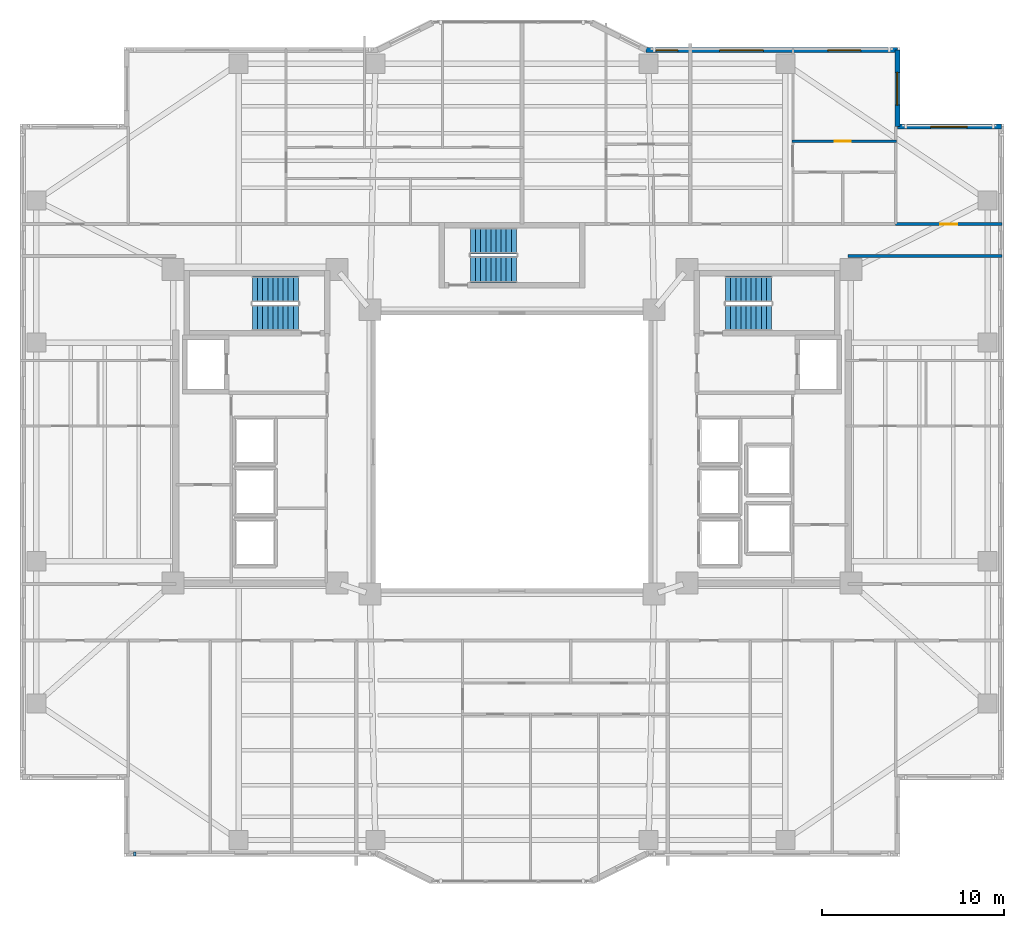
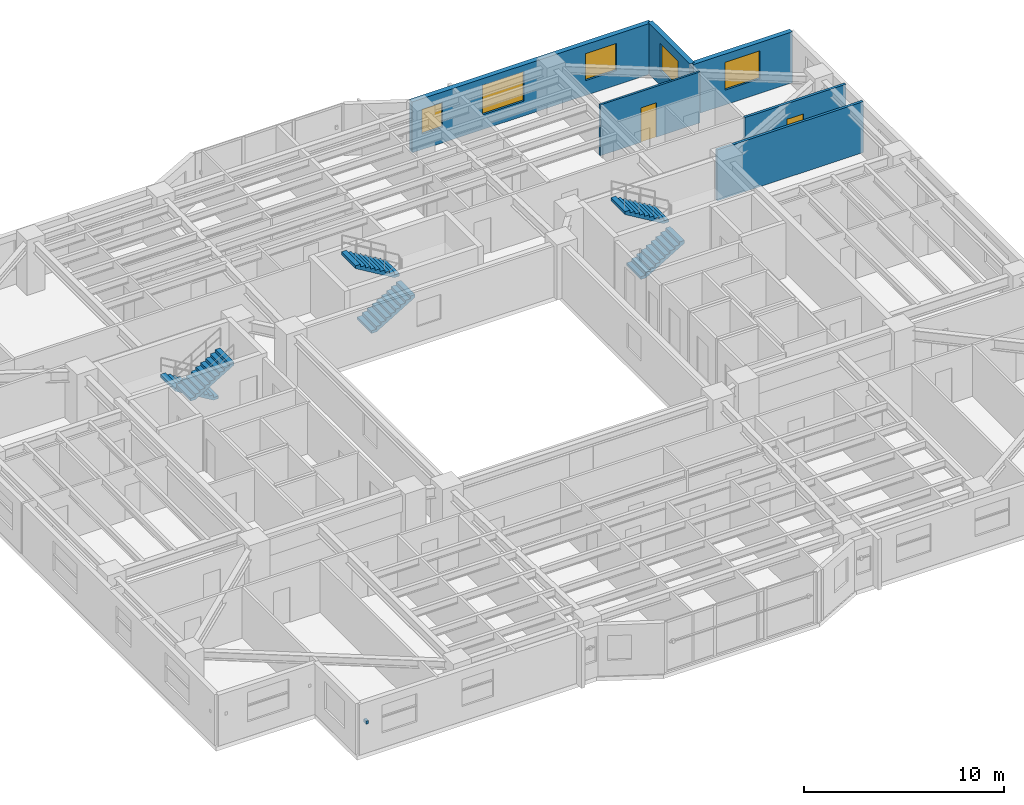
# One storey, part 11 of 18: 6 stair flights, 6 walls, 5 windows, 2 doors, 1 discrete accessory, 7 openings, 3 elements without a shape of their own.
"""IFC4 building model written with IfcOpenShell, lengths in metres."""

from ifc_helpers import new_model, si_unit, direction, frame, frame_2d, origin, origin_2d, place, context, subcontext, project, spatial, polyline, rectangle, outline, extrude, material, layer, layer_set, type_object, element, fill, aggregate, save


model = new_model("IFC4")

# Units and contexts
model_context = context("Model", 3, precision=1e-05, world=origin(), true_north=direction((0.0, 1.0)))
body_context = subcontext(model_context, "Body", "Model", "MODEL_VIEW")
ifc_project = project(units=[si_unit("LENGTHUNIT", "METRE"), si_unit("AREAUNIT", "SQUARE_METRE"), si_unit("VOLUMEUNIT", "CUBIC_METRE"), si_unit("PLANEANGLEUNIT", "RADIAN"), si_unit("MASSUNIT", "GRAM", prefix="KILO")], contexts=[model_context])

# Site, building, storey
site_placement = place(None, origin())
site = spatial("IfcSite", under=ifc_project, at=site_placement, CompositionType="ELEMENT")
building_placement = place(site_placement, origin())
building = spatial("IfcBuilding", under=site, at=building_placement, Name="Tarnavaz Court Tower", CompositionType="ELEMENT")
storey_placement = place(building_placement, frame((0.0, 0.0, 95.050048828125)))
storey = spatial("IfcBuildingStorey", under=building, at=storey_placement, Name="L25", CompositionType="ELEMENT", Elevation=95.050048828125)

# Wall, openings, windows
ifc_material_1 = material(Name="Precast Concrete C40/50", Category="concrete")
ifc_layer_1 = layer(ifc_material_1, 0.280029296875)
ifc_layer_set_1 = layer_set([ifc_layer_1], Name="Precast Concrete C40/50")
wall_type_1 = type_object("IfcWallType", Name="WL-EXT-280", PredefinedType="SOLIDWALL", material=ifc_layer_set_1)
wall_1_placement = place(storey_placement, frame((7.35009765625, 22.050048828125, 0.0), z_axis=(0.0, 0.0, 1.0), x_axis=(1.0, 0.0, 0.0)))
wall_1 = element("IfcWall", 1, at=wall_1_placement, inside=storey, type_object=wall_type_1, Name="L25 Exterior Terracotta Facade Wall 09", PredefinedType="SOLIDWALL", context=body_context, shape_type="SweptSolid", body=[
    extrude(rectangle(XDim=13.7998046875, YDim=0.280029296875, at=frame_2d((6.89990234375, 0.0))), origin(), (0.0, 0.0, 1.0), 3.099853515625),
])
opening_1_placement = place(wall_1_placement, frame((0.55419921875, 0.0, 0.949951171875)))
opening_1 = element("IfcOpeningElement", 2, at=opening_1_placement, cuts=wall_1, Name="Opening W05", PredefinedType="OPENING", context=body_context, shape_type="SweptSolid", body=[
    extrude(rectangle(XDim=1.199951171875, YDim=1.5, at=frame_2d((0.60009765625, 0.75))), frame((0.0, 0.14990234375, 0.0), z_axis=(0.0, -1.0, 0.0), x_axis=(1.0, 0.0, 0.0)), (0.0, 0.0, 1.0), 0.300048828125),
])
opening_2_placement = place(wall_1_placement, frame((4.0439453125, 0.0, 0.89990234375)))
opening_2 = element("IfcOpeningElement", 3, at=opening_2_placement, cuts=wall_1, Name="Opening W06", PredefinedType="OPENING", context=body_context, shape_type="SweptSolid", body=[
    extrude(rectangle(XDim=2.39990234375, YDim=1.800048828125, at=frame_2d((1.199951171875, 0.89990234375))), frame((0.0, 0.14990234375, 0.0), z_axis=(0.0, -1.0, 0.0), x_axis=(1.0, 0.0, 0.0)), (0.0, 0.0, 1.0), 0.300048828125),
])
opening_3_placement = place(wall_1_placement, frame((9.989501953125, 0.0, 0.89990234375)))
opening_3 = element("IfcOpeningElement", 4, at=opening_3_placement, cuts=wall_1, Name="Opening W01", PredefinedType="OPENING", context=body_context, shape_type="SweptSolid", body=[
    extrude(rectangle(XDim=1.800048828125, YDim=1.64990234375, at=frame_2d((0.89990234375, 0.824951171875))), frame((0.0, 0.14990234375, 0.0), z_axis=(0.0, -1.0, 0.0), x_axis=(1.0, 0.0, 0.0)), (0.0, 0.0, 1.0), 0.300048828125),
])
ifc_material_2 = material(Name="Double-Glazed Solar Low-E Glass", Category="glass")
window_type_1 = type_object("IfcWindowType", Name="WN-APT-1200", PartitioningType="SINGLE_PANEL", PredefinedType="WINDOW", material=ifc_material_2)
window_1_placement = place(opening_1_placement, origin())
window_1 = element("IfcWindow", 5, at=window_1_placement, inside=storey, type_object=window_type_1, Name="L25 Flat 02 Bedroom 1 Window", OverallHeight=1.5, OverallWidth=1.199951171875, PartitioningType="SINGLE_PANEL", PredefinedType="WINDOW", context=body_context, shape_type="SweptSolid", body=[
    extrude(rectangle(XDim=1.199951171875, YDim=1.5, at=frame_2d((0.60009765625, 0.75))), frame((0.0, 0.030029296875, 0.0), z_axis=(0.0, -1.0, 0.0), x_axis=(1.0, 0.0, 0.0)), (0.0, 0.0, 1.0), 0.06005859375),
])
fill(opening_1, window_1)
window_type_2 = type_object("IfcWindowType", Name="WN-APT-1800", PartitioningType="DOUBLE_PANEL_VERTICAL", PredefinedType="WINDOW", material=ifc_material_2)
window_2_placement = place(opening_3_placement, origin())
window_2 = element("IfcWindow", 6, at=window_2_placement, inside=storey, type_object=window_type_2, Name="L25 Flat 03 Bedroom 1 Window", OverallHeight=1.64990234375, OverallWidth=1.800048828125, PartitioningType="SINGLE_PANEL", PredefinedType="WINDOW", context=body_context, shape_type="SweptSolid", body=[
    extrude(rectangle(XDim=1.800048828125, YDim=1.64990234375, at=frame_2d((0.89990234375, 0.824951171875))), frame((0.0, 0.030029296875, 0.0), z_axis=(0.0, -1.0, 0.0), x_axis=(1.0, 0.0, 0.0)), (0.0, 0.0, 1.0), 0.06005859375),
])
fill(opening_3, window_2)
window_type_3 = type_object("IfcWindowType", Name="WN-APT-2400", PartitioningType="TRIPLE_PANEL_VERTICAL", PredefinedType="WINDOW", material=ifc_material_2)
window_3_placement = place(opening_2_placement, origin())
window_3 = element("IfcWindow", 7, at=window_3_placement, inside=storey, type_object=window_type_3, Name="L25 Flat 03 Living and Dining Room Window", OverallHeight=1.800048828125, OverallWidth=2.39990234375, PartitioningType="SINGLE_PANEL", PredefinedType="WINDOW", context=body_context, shape_type="SweptSolid", body=[
    extrude(rectangle(XDim=2.39990234375, YDim=1.800048828125, at=frame_2d((1.199951171875, 0.89990234375))), frame((0.0, 0.030029296875, 0.0), z_axis=(0.0, -1.0, 0.0), x_axis=(1.0, 0.0, 0.0)), (0.0, 0.0, 1.0), 0.06005859375),
])
fill(opening_2, window_3)

# Wall, opening, window
wall_2_placement = place(storey_placement, frame((21.14990234375, 22.050048828125, 0.0), z_axis=(0.0, 0.0, 1.0), x_axis=(0.0, -1.0, 0.0)))
wall_2 = element("IfcWall", 8, at=wall_2_placement, inside=storey, type_object=wall_type_1, Name="L25 Exterior Terracotta Facade Wall 10", PredefinedType="SOLIDWALL", context=body_context, shape_type="SweptSolid", body=[
    extrude(rectangle(XDim=4.199951171875, YDim=0.280029296875, at=frame_2d((2.10009765625, 0.0))), origin(), (0.0, 0.0, 1.0), 3.099853515625),
])
opening_4_placement = place(wall_2_placement, frame((1.2177734375, 0.0, 0.89990234375)))
opening_4 = element("IfcOpeningElement", 9, at=opening_4_placement, cuts=wall_2, Name="Opening W01", PredefinedType="OPENING", context=body_context, shape_type="SweptSolid", body=[
    extrude(rectangle(XDim=1.800048828125, YDim=1.64990234375, at=frame_2d((0.89990234375, 0.824951171875))), frame((0.0, 0.14990234375, 0.0), z_axis=(0.0, -1.0, 0.0), x_axis=(1.0, 0.0, 0.0)), (0.0, 0.0, 1.0), 0.300048828125),
])
window_4_placement = place(opening_4_placement, origin())
window_4 = element("IfcWindow", 10, at=window_4_placement, inside=storey, type_object=window_type_2, Name="L25 Flat 03 Bedroom 1 Window", OverallHeight=1.64990234375, OverallWidth=1.800048828125, PartitioningType="SINGLE_PANEL", PredefinedType="WINDOW", context=body_context, shape_type="SweptSolid", body=[
    extrude(rectangle(XDim=1.800048828125, YDim=1.64990234375, at=frame_2d((0.89990234375, 0.824951171875))), frame((0.0, 0.030029296875, 0.0), z_axis=(0.0, -1.0, 0.0), x_axis=(1.0, 0.0, 0.0)), (0.0, 0.0, 1.0), 0.06005859375),
])
fill(opening_4, window_4)

wall_3_placement = place(storey_placement, frame((21.14990234375, 17.85009765625, 0.0), z_axis=(0.0, 0.0, 1.0), x_axis=(1.0, 0.0, 0.0)))
wall_3 = element("IfcWall", 11, at=wall_3_placement, inside=storey, type_object=wall_type_1, Name="L25 Exterior Terracotta Facade Wall 11", PredefinedType="SOLIDWALL", context=body_context, shape_type="SweptSolid", body=[
    extrude(rectangle(XDim=5.7001953125, YDim=0.280029296875, at=frame_2d((2.85009765625, 0.0))), origin(), (0.0, 0.0, 1.0), 3.099853515625),
])
opening_5_placement = place(wall_3_placement, frame((1.824951171875, 0.0, 0.89990234375)))
opening_5 = element("IfcOpeningElement", 12, at=opening_5_placement, cuts=wall_3, Name="Opening W08", PredefinedType="OPENING", context=body_context, shape_type="SweptSolid", body=[
    extrude(rectangle(XDim=2.0, YDim=1.699951171875, at=frame_2d((1.0, 0.85009765625))), frame((0.0, 0.14990234375, 0.0), z_axis=(0.0, -1.0, 0.0), x_axis=(1.0, 0.0, 0.0)), (0.0, 0.0, 1.0), 0.300048828125),
])
window_type_4 = type_object("IfcWindowType", Name="WN-APT-2000", PartitioningType="DOUBLE_PANEL_VERTICAL", PredefinedType="WINDOW", material=ifc_material_2)
window_5_placement = place(opening_5_placement, origin())
window_5 = element("IfcWindow", 13, at=window_5_placement, inside=storey, type_object=window_type_4, Name="L25 North-East Corner Sunroom Study Window", OverallHeight=1.699951171875, OverallWidth=2.0, PartitioningType="SINGLE_PANEL", PredefinedType="WINDOW", context=body_context, shape_type="SweptSolid", body=[
    extrude(rectangle(XDim=2.0, YDim=1.699951171875, at=frame_2d((1.0, 0.85009765625))), frame((0.0, 0.030029296875, 0.0), z_axis=(0.0, -1.0, 0.0), x_axis=(1.0, 0.0, 0.0)), (0.0, 0.0, 1.0), 0.06005859375),
])
fill(opening_5, window_5)

# Wall
ifc_material_3 = material(Name="Gypsum Fire-Board on Acoustic Metal Stud", Category="masonry")
ifc_layer_2 = layer(ifc_material_3, 0.14990234375)
ifc_layer_set_2 = layer_set([ifc_layer_2], Name="Gypsum Fire-Board on Acoustic Metal Stud")
wall_type_2 = type_object("IfcWallType", Name="WL-FIRE-150", PredefinedType="PARTITIONING", material=ifc_layer_set_2)
wall_4_placement = place(storey_placement, frame((18.449951171875, 10.75, 0.0), z_axis=(0.0, 0.0, 1.0), x_axis=(1.0, 0.0, 0.0)))
element("IfcWall", 14, at=wall_4_placement, inside=storey, type_object=wall_type_2, Name="L25 Interior Partition 111", PredefinedType="PARTITIONING", context=body_context, shape_type="SweptSolid", body=[
    extrude(rectangle(XDim=8.429931640625, YDim=0.14990234375, at=frame_2d((4.21484375, 0.0))), origin(), (0.0, 0.0, 1.0), 3.099853515625),
])

# Wall, opening, door
wall_5_placement = place(storey_placement, frame((21.050048828125, 12.5, 0.0), z_axis=(0.0, 0.0, 1.0), x_axis=(1.0, 0.0, 0.0)))
wall_5 = element("IfcWall", 15, at=wall_5_placement, inside=storey, type_object=wall_type_2, Name="L25 Interior Partition 117", PredefinedType="PARTITIONING", context=body_context, shape_type="SweptSolid", body=[
    extrude(rectangle(XDim=5.829833984375, YDim=0.14990234375, at=frame_2d((2.9150390625, 0.0))), origin(), (0.0, 0.0, 1.0), 3.099853515625),
])
opening_6_placement = place(wall_5_placement, frame((2.43994140625, 0.0, 0.0)))
opening_6 = element("IfcOpeningElement", 16, at=opening_6_placement, cuts=wall_5, Name="Opening D13", PredefinedType="OPENING", context=body_context, shape_type="SweptSolid", body=[
    extrude(rectangle(XDim=0.949951171875, YDim=2.14990234375, at=frame_2d((0.47509765625, 1.074951171875))), frame((0.0, 0.0849609375, 0.0), z_axis=(0.0, -1.0, 0.0), x_axis=(1.0, 0.0, 0.0)), (0.0, 0.0, 1.0), 0.169921875),
])
ifc_material_4 = material(Name="Engineered Oak Timber", Category="wood")
door_type_1 = type_object("IfcDoorType", Name="DR-INT-950", OperationType="NOTDEFINED", PredefinedType="DOOR", material=ifc_material_4)
door_1_placement = place(opening_6_placement, origin())
door_1 = element("IfcDoor", 17, at=door_1_placement, inside=storey, type_object=door_type_1, Name="L25 NE Sunroom Door", OperationType="SINGLE_SWING_RIGHT", OverallHeight=2.14990234375, OverallWidth=0.949951171875, PredefinedType="DOOR", context=body_context, shape_type="SweptSolid", body=[
    extrude(rectangle(XDim=0.949951171875, YDim=2.14990234375, at=frame_2d((0.47509765625, 1.074951171875))), frame((0.0, 0.02490234375, 0.0), z_axis=(0.0, -1.0, 0.0), x_axis=(1.0, 0.0, 0.0)), (0.0, 0.0, 1.0), 0.050048828125),
])
fill(opening_6, door_1)

ifc_material_5 = material(Name="Moisture-Resistant Gypsum Board Partition", Category="masonry")
ifc_layer_3 = layer(ifc_material_5, 0.1201171875)
ifc_layer_set_3 = layer_set([ifc_layer_3], Name="Moisture-Resistant Gypsum Board Partition")
wall_type_3 = type_object("IfcWallType", Name="WL-PART-120", PredefinedType="PARTITIONING", material=ifc_layer_set_3)
wall_6_placement = place(storey_placement, frame((15.35302734375, 17.050048828125, 0.0), z_axis=(0.0, 0.0, 1.0), x_axis=(1.0, 0.0, 0.0)))
wall_6 = element("IfcWall", 18, at=wall_6_placement, inside=storey, type_object=wall_type_3, Name="L25 Interior Partition 092", PredefinedType="PARTITIONING", context=body_context, shape_type="SweptSolid", body=[
    extrude(rectangle(XDim=5.757080078125, YDim=0.1201171875, at=frame_2d((2.87841796875, 0.0))), origin(), (0.0, 0.0, 1.0), 3.099853515625),
])
opening_7_placement = place(wall_6_placement, frame((2.34912109375, 0.0, 0.0)))
opening_7 = element("IfcOpeningElement", 19, at=opening_7_placement, cuts=wall_6, Name="Opening D14", PredefinedType="OPENING", context=body_context, shape_type="SweptSolid", body=[
    extrude(rectangle(XDim=0.8798828125, YDim=2.10009765625, at=frame_2d((0.43994140625, 1.050048828125))), frame((0.0, 0.070068359375, 0.0), z_axis=(0.0, -1.0, 0.0), x_axis=(1.0, 0.0, 0.0)), (0.0, 0.0, 1.0), 0.14013671875),
])
door_type_2 = type_object("IfcDoorType", Name="DR-INT-900", OperationType="NOTDEFINED", PredefinedType="DOOR", material=ifc_material_4)
door_2_placement = place(opening_7_placement, origin())
door_2 = element("IfcDoor", 20, at=door_2_placement, inside=storey, type_object=door_type_2, Name="L25 Flat 03 Bedroom 1 Door", OperationType="SINGLE_SWING_LEFT", OverallHeight=2.10009765625, OverallWidth=0.8798828125, PredefinedType="DOOR", context=body_context, shape_type="SweptSolid", body=[
    extrude(rectangle(XDim=0.8798828125, YDim=2.10009765625, at=frame_2d((0.43994140625, 1.050048828125))), frame((0.0, 0.02490234375, 0.0), z_axis=(0.0, -1.0, 0.0), x_axis=(1.0, 0.0, 0.0)), (0.0, 0.0, 1.0), 0.050048828125),
])
fill(opening_7, door_2)

# Stair, stair flights
ifc_material_6 = material(Name="Concrete C40/50", Category="concrete")
stair_type = type_object("IfcStairType", Name="ST-TWR-20R", PredefinedType="HALF_TURN_STAIR", material=ifc_material_6)
stair_1_placement = place(storey_placement, origin())
stair_1 = element("IfcStair", 21, at=stair_1_placement, inside=storey, type_object=stair_type, Name="L25 West Core Pressurized Exit Stair ST-W1", PredefinedType="HALF_TURN_STAIR")
stair_flight_type = type_object("IfcStairFlightType", Name="SFL-RC-20R", PredefinedType="STRAIGHT", material=ifc_material_6)
stair_flight_1_placement = place(storey_placement, frame((-11.719970703125, 8.929931640625, 0.0), z_axis=(0.0, 0.0, 1.0), x_axis=(-1.0, 0.0, 0.0)))
stair_flight_1 = element("IfcStairFlight", 22, at=stair_flight_1_placement, type_object=stair_flight_type, Name="ST-W1 flight 1", NumberOfRisers=10, NumberOfTreads=9, PredefinedType="STRAIGHT", RiserHeight=0.1675, TreadLength=0.28, context=body_context, shape_type="SweptSolid", body=[
    extrude(outline(polyline([(0.0, 0.0), (0.0, 0.16748046875), (0.280029296875, 0.16748046875), (0.280029296875, 0.3349609375), (0.56005859375, 0.3349609375), (0.56005859375, 0.50244140625), (0.840087890625, 0.50244140625), (0.840087890625, 0.669921875), (1.1201171875, 0.669921875), (1.1201171875, 0.83740234375), (1.39990234375, 0.83740234375), (1.39990234375, 1.0048828125), (1.679931640625, 1.0048828125), (1.679931640625, 1.172607421875), (1.9599609375, 1.172607421875), (1.9599609375, 1.340087890625), (2.239990234375, 1.340087890625), (2.239990234375, 1.507568359375), (2.52001953125, 1.507568359375), (2.52001953125, 1.675048828125), (2.52001953125, 1.332763671875), (0.2919921875, 0.0), (0.0, 0.0)])), frame((0.0, 0.7099609375, 0.0), z_axis=(0.0, -1.0, 0.0), x_axis=(1.0, 0.0, 0.0)), (0.0, 0.0, 1.0), 1.419921875),
])
stair_flight_2_placement = place(storey_placement, frame((-14.239990234375, 7.360107421875, 1.675048828125), z_axis=(0.0, 0.0, 1.0), x_axis=(1.0, 0.0, 0.0)))
stair_flight_2 = element("IfcStairFlight", 23, at=stair_flight_2_placement, type_object=stair_flight_type, Name="ST-W1 flight 2", NumberOfRisers=10, NumberOfTreads=9, PredefinedType="STRAIGHT", RiserHeight=0.1675, TreadLength=0.28, context=body_context, shape_type="SweptSolid", body=[
    extrude(outline(polyline([(0.0, 0.0), (0.0, 0.16748046875), (0.280029296875, 0.16748046875), (0.280029296875, 0.3349609375), (0.56005859375, 0.3349609375), (0.56005859375, 0.50244140625), (0.840087890625, 0.50244140625), (0.840087890625, 0.669921875), (1.1201171875, 0.669921875), (1.1201171875, 0.83740234375), (1.39990234375, 0.83740234375), (1.39990234375, 1.0048828125), (1.679931640625, 1.0048828125), (1.679931640625, 1.172607421875), (1.9599609375, 1.172607421875), (1.9599609375, 1.340087890625), (2.239990234375, 1.340087890625), (2.239990234375, 1.507568359375), (2.52001953125, 1.507568359375), (2.52001953125, 1.675048828125), (2.52001953125, 1.332763671875), (0.2919921875, 0.0), (0.0, 0.0)])), frame((0.0, 0.7099609375, 0.0), z_axis=(0.0, -1.0, 0.0), x_axis=(1.0, 0.0, 0.0)), (0.0, 0.0, 1.0), 1.419921875),
])
aggregate(stair_1, [stair_flight_1, stair_flight_2])

stair_2_placement = place(storey_placement, origin())
stair_2 = element("IfcStair", 24, at=stair_2_placement, inside=storey, type_object=stair_type, Name="L25 East Core Pressurized Exit Stair ST-E1", PredefinedType="HALF_TURN_STAIR")
stair_flight_3_placement = place(storey_placement, frame((11.719970703125, 7.360107421875, 0.0), z_axis=(0.0, 0.0, 1.0), x_axis=(1.0, 0.0, 0.0)))
stair_flight_3 = element("IfcStairFlight", 25, at=stair_flight_3_placement, type_object=stair_flight_type, Name="ST-E1 flight 1", NumberOfRisers=10, NumberOfTreads=9, PredefinedType="STRAIGHT", RiserHeight=0.1675, TreadLength=0.28, context=body_context, shape_type="SweptSolid", body=[
    extrude(outline(polyline([(0.0, 0.0), (0.0, 0.16748046875), (0.280029296875, 0.16748046875), (0.280029296875, 0.3349609375), (0.56005859375, 0.3349609375), (0.56005859375, 0.50244140625), (0.840087890625, 0.50244140625), (0.840087890625, 0.669921875), (1.1201171875, 0.669921875), (1.1201171875, 0.83740234375), (1.39990234375, 0.83740234375), (1.39990234375, 1.0048828125), (1.679931640625, 1.0048828125), (1.679931640625, 1.172607421875), (1.9599609375, 1.172607421875), (1.9599609375, 1.340087890625), (2.239990234375, 1.340087890625), (2.239990234375, 1.507568359375), (2.52001953125, 1.507568359375), (2.52001953125, 1.675048828125), (2.52001953125, 1.332763671875), (0.2919921875, 0.0), (0.0, 0.0)])), frame((0.0, 0.7099609375, 0.0), z_axis=(0.0, -1.0, 0.0), x_axis=(1.0, 0.0, 0.0)), (0.0, 0.0, 1.0), 1.419921875),
])
stair_flight_4_placement = place(storey_placement, frame((14.239990234375, 8.929931640625, 1.675048828125), z_axis=(0.0, 0.0, 1.0), x_axis=(-1.0, 0.0, 0.0)))
stair_flight_4 = element("IfcStairFlight", 26, at=stair_flight_4_placement, type_object=stair_flight_type, Name="ST-E1 flight 2", NumberOfRisers=10, NumberOfTreads=9, PredefinedType="STRAIGHT", RiserHeight=0.1675, TreadLength=0.28, context=body_context, shape_type="SweptSolid", body=[
    extrude(outline(polyline([(0.0, 0.0), (0.0, 0.16748046875), (0.280029296875, 0.16748046875), (0.280029296875, 0.3349609375), (0.56005859375, 0.3349609375), (0.56005859375, 0.50244140625), (0.840087890625, 0.50244140625), (0.840087890625, 0.669921875), (1.1201171875, 0.669921875), (1.1201171875, 0.83740234375), (1.39990234375, 0.83740234375), (1.39990234375, 1.0048828125), (1.679931640625, 1.0048828125), (1.679931640625, 1.172607421875), (1.9599609375, 1.172607421875), (1.9599609375, 1.340087890625), (2.239990234375, 1.340087890625), (2.239990234375, 1.507568359375), (2.52001953125, 1.507568359375), (2.52001953125, 1.675048828125), (2.52001953125, 1.332763671875), (0.2919921875, 0.0), (0.0, 0.0)])), frame((0.0, 0.7099609375, 0.0), z_axis=(0.0, -1.0, 0.0), x_axis=(1.0, 0.0, 0.0)), (0.0, 0.0, 1.0), 1.419921875),
])
aggregate(stair_2, [stair_flight_3, stair_flight_4])

stair_3_placement = place(storey_placement, origin())
stair_3 = element("IfcStair", 27, at=stair_3_placement, inside=storey, type_object=stair_type, Name="L25 North Ring Pressurized Exit Stair ST-N1", PredefinedType="HALF_TURN_STAIR")
stair_flight_5_placement = place(storey_placement, frame((-2.280029296875, 10.010009765625, 0.0), z_axis=(0.0, 0.0, 1.0), x_axis=(1.0, 0.0, 0.0)))
stair_flight_5 = element("IfcStairFlight", 28, at=stair_flight_5_placement, type_object=stair_flight_type, Name="ST-N1 flight 1", NumberOfRisers=10, NumberOfTreads=9, PredefinedType="STRAIGHT", RiserHeight=0.1675, TreadLength=0.28, context=body_context, shape_type="SweptSolid", body=[
    extrude(outline(polyline([(0.0, 0.0), (0.0, 0.16748046875), (0.280029296875, 0.16748046875), (0.280029296875, 0.3349609375), (0.56005859375, 0.3349609375), (0.56005859375, 0.50244140625), (0.840087890625, 0.50244140625), (0.840087890625, 0.669921875), (1.1201171875, 0.669921875), (1.1201171875, 0.83740234375), (1.39990234375, 0.83740234375), (1.39990234375, 1.0048828125), (1.679931640625, 1.0048828125), (1.679931640625, 1.172607421875), (1.9599609375, 1.172607421875), (1.9599609375, 1.340087890625), (2.239990234375, 1.340087890625), (2.239990234375, 1.507568359375), (2.52001953125, 1.507568359375), (2.52001953125, 1.675048828125), (2.52001953125, 1.332763671875), (0.2919921875, 0.0), (0.0, 0.0)])), frame((0.0, 0.7099609375, 0.0), z_axis=(0.0, -1.0, 0.0), x_axis=(1.0, 0.0, 0.0)), (0.0, 0.0, 1.0), 1.419921875),
])
stair_flight_6_placement = place(storey_placement, frame((0.239990234375, 11.580078125, 1.675048828125), z_axis=(0.0, 0.0, 1.0), x_axis=(-1.0, 0.0, 0.0)))
stair_flight_6 = element("IfcStairFlight", 29, at=stair_flight_6_placement, type_object=stair_flight_type, Name="ST-N1 flight 2", NumberOfRisers=10, NumberOfTreads=9, PredefinedType="STRAIGHT", RiserHeight=0.1675, TreadLength=0.28, context=body_context, shape_type="SweptSolid", body=[
    extrude(outline(polyline([(0.0, 0.0), (0.0, 0.16748046875), (0.280029296875, 0.16748046875), (0.280029296875, 0.3349609375), (0.56005859375, 0.3349609375), (0.56005859375, 0.50244140625), (0.840087890625, 0.50244140625), (0.840087890625, 0.669921875), (1.1201171875, 0.669921875), (1.1201171875, 0.83740234375), (1.39990234375, 0.83740234375), (1.39990234375, 1.0048828125), (1.679931640625, 1.0048828125), (1.679931640625, 1.172607421875), (1.9599609375, 1.172607421875), (1.9599609375, 1.340087890625), (2.239990234375, 1.340087890625), (2.239990234375, 1.507568359375), (2.52001953125, 1.507568359375), (2.52001953125, 1.675048828125), (2.52001953125, 1.332763671875), (0.2919921875, 0.0), (0.0, 0.0)])), frame((0.0, 0.7099609375, 0.0), z_axis=(0.0, -1.0, 0.0), x_axis=(1.0, 0.0, 0.0)), (0.0, 0.0, 1.0), 1.419921875),
])
aggregate(stair_3, [stair_flight_5, stair_flight_6])

# Discrete accessory
ifc_material_7 = material(Name="Anodised Aluminium 6063-T6", Category="aluminium")
discrete_accessory_type = type_object("IfcDiscreteAccessoryType", Name="DA-BRKT-ALU", PredefinedType="BRACKET", material=ifc_material_7)
discrete_accessory_placement = place(storey_placement, frame((-20.699951171875, -22.070068359375, 1.75), z_axis=(0.0, 0.0, 1.0), x_axis=(-1.0, 0.0, 0.0)))
element("IfcDiscreteAccessory", 30, at=discrete_accessory_placement, inside=storey, type_object=discrete_accessory_type, Name="L25 Baguette Outrigger Bracket FBG19-2", PredefinedType="BRACKET", context=body_context, shape_type="SweptSolid", body=[
    extrude(rectangle(XDim=0.139892578125, YDim=0.239990234375, at=origin_2d()), origin(), (0.0, 0.0, 1.0), 0.199951171875),
])

save(model, "model.ifc")
